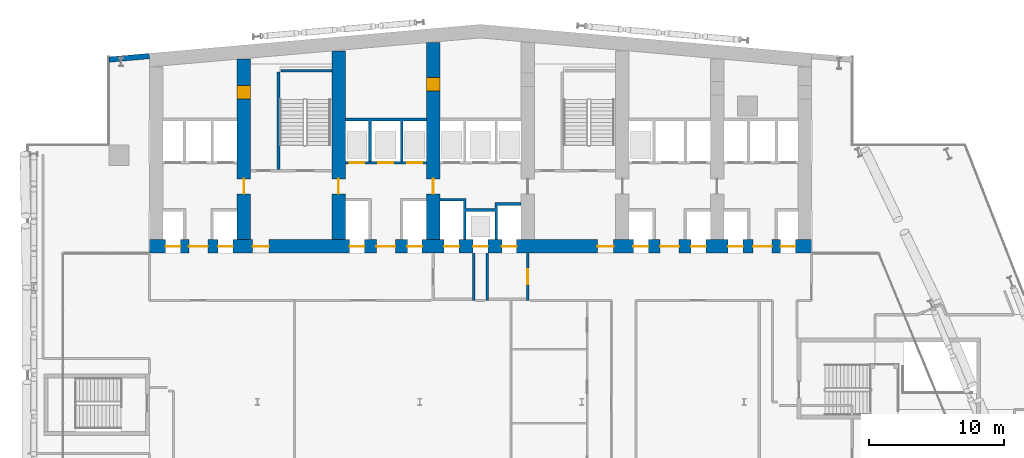
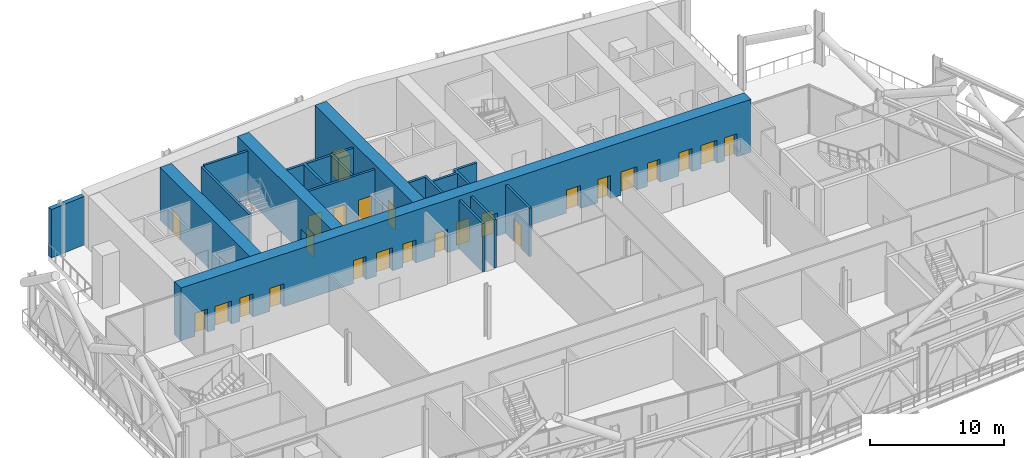
# One storey, part 20 of 42: 26 doors, 13 walls, 26 openings.
"""IFC4 building model written with IfcOpenShell, lengths in metres."""

from ifc_helpers import new_model, si_unit, direction, frame, frame_2d, origin, place, context, subcontext, project, spatial, polyline, rectangle, outline, extrude, material, layer, layer_set, type_object, element, fill, save


model = new_model("IFC4")

# Units and contexts
model_context = context("Model", 3, precision=1e-05, world=origin(), true_north=direction((0.0, 1.0)))
body_context = subcontext(model_context, "Body", "Model", "MODEL_VIEW")
ifc_project = project(units=[si_unit("LENGTHUNIT", "METRE"), si_unit("AREAUNIT", "SQUARE_METRE"), si_unit("VOLUMEUNIT", "CUBIC_METRE"), si_unit("PLANEANGLEUNIT", "RADIAN"), si_unit("MASSUNIT", "GRAM", prefix="KILO")], contexts=[model_context])

# Site, building, storey
site_placement = place(None, origin())
site = spatial("IfcSite", under=ifc_project, at=site_placement, CompositionType="ELEMENT")
building_placement = place(site_placement, origin())
building = spatial("IfcBuilding", under=site, at=building_placement, Name="Wharfspan Tower", CompositionType="ELEMENT")
storey_placement = place(building_placement, frame((0.0, 0.0, 147.100098)))
storey = spatial("IfcBuildingStorey", under=building, at=storey_placement, Name="L35", CompositionType="ELEMENT", Elevation=147.100098)

# Wall, openings, doors
ifc_material_1 = material(Name="Concrete C70/85", Category="concrete")
ifc_layer_1 = layer(ifc_material_1, 1.0)
ifc_layer_set_1 = layer_set([ifc_layer_1], Name="Concrete C70/85")
wall_type_1 = type_object("IfcWallType", Name="Core wall 1000 C70/85", PredefinedType="SHEAR", material=ifc_layer_set_1)
wall_1_placement = place(storey_placement, frame((16.0, 34.5, 0.0), z_axis=(0.0, 0.0, 1.0), x_axis=(1.0, 0.0, 0.0)))
wall_1 = element("IfcWall", 1, at=wall_1_placement, inside=storey, type_object=wall_type_1, Name="Core front wall L35", PredefinedType="SHEAR", context=body_context, shape_type="SweptSolid", body=[
    extrude(rectangle(XDim=49.0, YDim=1.0, at=frame_2d((24.5, 0.0))), origin(), (0.0, 0.0, 1.0), 4.799805),
])
opening_1_placement = place(wall_1_placement, frame((1.199951, 0.0, 0.0)))
opening_1 = element("IfcOpeningElement", 2, at=opening_1_placement, cuts=wall_1, Name="Opening LD.LA1.L35", PredefinedType="OPENING", context=body_context, shape_type="SweptSolid", body=[
    extrude(rectangle(XDim=1.100098, YDim=2.100098, at=frame_2d((0.550049, 1.050049))), frame((0.0, 0.51001, 0.0), z_axis=(0.0, -1.0, 0.0), x_axis=(1.0, 0.0, 0.0)), (0.0, 0.0, 1.0), 1.02002),
])
opening_2_placement = place(wall_1_placement, frame((5.083252, 0.0, 0.0)))
opening_2 = element("IfcOpeningElement", 3, at=opening_2_placement, cuts=wall_1, Name="Opening LD.LA2.L35", PredefinedType="OPENING", context=body_context, shape_type="SweptSolid", body=[
    extrude(rectangle(XDim=1.100098, YDim=2.100098, at=frame_2d((0.550049, 1.050049))), frame((0.0, 0.51001, 0.0), z_axis=(0.0, -1.0, 0.0), x_axis=(1.0, 0.0, 0.0)), (0.0, 0.0, 1.0), 1.02002),
])
opening_3_placement = place(wall_1_placement, frame((2.93335, 0.0, 0.0)))
opening_3 = element("IfcOpeningElement", 4, at=opening_3_placement, cuts=wall_1, Name="Opening HD35.1", PredefinedType="OPENING", context=body_context, shape_type="SweptSolid", body=[
    extrude(rectangle(XDim=1.399902, YDim=2.100098, at=frame_2d((0.699951, 1.050049))), frame((0.0, 0.51001, 0.0), z_axis=(0.0, -1.0, 0.0), x_axis=(1.0, 0.0, 0.0)), (0.0, 0.0, 1.0), 1.02002),
])
opening_4_placement = place(wall_1_placement, frame((7.649902, 0.0, 0.0)))
opening_4 = element("IfcOpeningElement", 5, at=opening_4_placement, cuts=wall_1, Name="Opening SV2.L35", PredefinedType="OPENING", context=body_context, shape_type="SweptSolid", body=[
    extrude(rectangle(XDim=1.199951, YDim=2.100098, at=frame_2d((0.600098, 1.050049))), frame((0.0, 0.51001, 0.0), z_axis=(0.0, -1.0, 0.0), x_axis=(1.0, 0.0, 0.0)), (0.0, 0.0, 1.0), 1.02002),
])
opening_5_placement = place(wall_1_placement, frame((14.81665, 0.0, 0.0)))
opening_5 = element("IfcOpeningElement", 6, at=opening_5_placement, cuts=wall_1, Name="Opening LD.SL1.L35", PredefinedType="OPENING", context=body_context, shape_type="SweptSolid", body=[
    extrude(rectangle(XDim=1.100098, YDim=2.100098, at=frame_2d((0.550049, 1.050049))), frame((0.0, 0.51001, 0.0), z_axis=(0.0, -1.0, 0.0), x_axis=(1.0, 0.0, 0.0)), (0.0, 0.0, 1.0), 1.02002),
])
opening_6_placement = place(wall_1_placement, frame((19.083252, 0.0, 0.0)))
opening_6 = element("IfcOpeningElement", 7, at=opening_6_placement, cuts=wall_1, Name="Opening LD.SL2.L35", PredefinedType="OPENING", context=body_context, shape_type="SweptSolid", body=[
    extrude(rectangle(XDim=1.100098, YDim=2.100098, at=frame_2d((0.550049, 1.050049))), frame((0.0, 0.51001, 0.0), z_axis=(0.0, -1.0, 0.0), x_axis=(1.0, 0.0, 0.0)), (0.0, 0.0, 1.0), 1.02002),
])
opening_7_placement = place(wall_1_placement, frame((16.800049, 0.0, 0.0)))
opening_7 = element("IfcOpeningElement", 8, at=opening_7_placement, cuts=wall_1, Name="Opening HD35.3", PredefinedType="OPENING", context=body_context, shape_type="SweptSolid", body=[
    extrude(rectangle(XDim=1.399902, YDim=2.100098, at=frame_2d((0.699951, 1.050049))), frame((0.0, 0.51001, 0.0), z_axis=(0.0, -1.0, 0.0), x_axis=(1.0, 0.0, 0.0)), (0.0, 0.0, 1.0), 1.02002),
])
opening_8_placement = place(wall_1_placement, frame((21.81665, 0.0, 0.0)))
opening_8 = element("IfcOpeningElement", 9, at=opening_8_placement, cuts=wall_1, Name="Opening LD.FF1.L35", PredefinedType="OPENING", context=body_context, shape_type="SweptSolid", body=[
    extrude(rectangle(XDim=1.100098, YDim=2.100098, at=frame_2d((0.550049, 1.050049))), frame((0.0, 0.51001, 0.0), z_axis=(0.0, -1.0, 0.0), x_axis=(1.0, 0.0, 0.0)), (0.0, 0.0, 1.0), 1.02002),
])
opening_9_placement = place(wall_1_placement, frame((23.949951, 0.0, 0.0)))
opening_9 = element("IfcOpeningElement", 10, at=opening_9_placement, cuts=wall_1, Name="Opening LD.LB7.L35", PredefinedType="OPENING", context=body_context, shape_type="SweptSolid", body=[
    extrude(rectangle(XDim=1.100098, YDim=2.100098, at=frame_2d((0.550049, 1.050049))), frame((0.0, 0.51001, 0.0), z_axis=(0.0, -1.0, 0.0), x_axis=(1.0, 0.0, 0.0)), (0.0, 0.0, 1.0), 1.02002),
])
opening_10_placement = place(wall_1_placement, frame((26.083252, 0.0, 0.0)))
opening_10 = element("IfcOpeningElement", 11, at=opening_10_placement, cuts=wall_1, Name="Opening LD.FF2.L35", PredefinedType="OPENING", context=body_context, shape_type="SweptSolid", body=[
    extrude(rectangle(XDim=1.100098, YDim=2.100098, at=frame_2d((0.550049, 1.050049))), frame((0.0, 0.51001, 0.0), z_axis=(0.0, -1.0, 0.0), x_axis=(1.0, 0.0, 0.0)), (0.0, 0.0, 1.0), 1.02002),
])
opening_11_placement = place(wall_1_placement, frame((33.149902, 0.0, 0.0)))
opening_11 = element("IfcOpeningElement", 12, at=opening_11_placement, cuts=wall_1, Name="Opening SV5.L35", PredefinedType="OPENING", context=body_context, shape_type="SweptSolid", body=[
    extrude(rectangle(XDim=1.199951, YDim=2.100098, at=frame_2d((0.600098, 1.050049))), frame((0.0, 0.51001, 0.0), z_axis=(0.0, -1.0, 0.0), x_axis=(1.0, 0.0, 0.0)), (0.0, 0.0, 1.0), 1.02002),
])
opening_12_placement = place(wall_1_placement, frame((35.81665, 0.0, 0.0)))
opening_12 = element("IfcOpeningElement", 13, at=opening_12_placement, cuts=wall_1, Name="Opening LD.LS1.L35", PredefinedType="OPENING", context=body_context, shape_type="SweptSolid", body=[
    extrude(rectangle(XDim=1.100098, YDim=2.100098, at=frame_2d((0.550049, 1.050049))), frame((0.0, 0.51001, 0.0), z_axis=(0.0, -1.0, 0.0), x_axis=(1.0, 0.0, 0.0)), (0.0, 0.0, 1.0), 1.02002),
])
opening_13_placement = place(wall_1_placement, frame((40.083252, 0.0, 0.0)))
opening_13 = element("IfcOpeningElement", 14, at=opening_13_placement, cuts=wall_1, Name="Opening LD.LS2.L35", PredefinedType="OPENING", context=body_context, shape_type="SweptSolid", body=[
    extrude(rectangle(XDim=1.100098, YDim=2.100098, at=frame_2d((0.550049, 1.050049))), frame((0.0, 0.51001, 0.0), z_axis=(0.0, -1.0, 0.0), x_axis=(1.0, 0.0, 0.0)), (0.0, 0.0, 1.0), 1.02002),
])
opening_14_placement = place(wall_1_placement, frame((37.800049, 0.0, 0.0)))
opening_14 = element("IfcOpeningElement", 15, at=opening_14_placement, cuts=wall_1, Name="Opening HD35.6", PredefinedType="OPENING", context=body_context, shape_type="SweptSolid", body=[
    extrude(rectangle(XDim=1.399902, YDim=2.100098, at=frame_2d((0.699951, 1.050049))), frame((0.0, 0.51001, 0.0), z_axis=(0.0, -1.0, 0.0), x_axis=(1.0, 0.0, 0.0)), (0.0, 0.0, 1.0), 1.02002),
])
opening_15_placement = place(wall_1_placement, frame((42.81665, 0.0, 0.0)))
opening_15 = element("IfcOpeningElement", 16, at=opening_15_placement, cuts=wall_1, Name="Opening LD.LA6.L35", PredefinedType="OPENING", context=body_context, shape_type="SweptSolid", body=[
    extrude(rectangle(XDim=1.100098, YDim=2.100098, at=frame_2d((0.550049, 1.050049))), frame((0.0, 0.51001, 0.0), z_axis=(0.0, -1.0, 0.0), x_axis=(1.0, 0.0, 0.0)), (0.0, 0.0, 1.0), 1.02002),
])
opening_16_placement = place(wall_1_placement, frame((46.699951, 0.0, 0.0)))
opening_16 = element("IfcOpeningElement", 17, at=opening_16_placement, cuts=wall_1, Name="Opening LD.LA7.L35", PredefinedType="OPENING", context=body_context, shape_type="SweptSolid", body=[
    extrude(rectangle(XDim=1.100098, YDim=2.100098, at=frame_2d((0.550049, 1.050049))), frame((0.0, 0.51001, 0.0), z_axis=(0.0, -1.0, 0.0), x_axis=(1.0, 0.0, 0.0)), (0.0, 0.0, 1.0), 1.02002),
])
opening_17_placement = place(wall_1_placement, frame((44.666748, 0.0, 0.0)))
opening_17 = element("IfcOpeningElement", 18, at=opening_17_placement, cuts=wall_1, Name="Opening HD35.7", PredefinedType="OPENING", context=body_context, shape_type="SweptSolid", body=[
    extrude(rectangle(XDim=1.399902, YDim=2.100098, at=frame_2d((0.699951, 1.050049))), frame((0.0, 0.51001, 0.0), z_axis=(0.0, -1.0, 0.0), x_axis=(1.0, 0.0, 0.0)), (0.0, 0.0, 1.0), 1.02002),
])
ifc_material_2 = material(Name="Steel door leaf", Category="steel")
door_type_1 = type_object("IfcDoorType", Name="Hall entry door 1400x2100", OperationType="DOUBLE_DOOR_SINGLE_SWING", PredefinedType="DOOR", material=ifc_material_2)
door_1_placement = place(opening_3_placement, origin())
door_1 = element("IfcDoor", 19, at=door_1_placement, inside=storey, type_object=door_type_1, Name="d:L35:1:hd1", OperationType="DOUBLE_DOOR_SINGLE_SWING", OverallHeight=2.100098, OverallWidth=1.399902, PredefinedType="DOOR", context=body_context, shape_type="SweptSolid", body=[
    extrude(rectangle(XDim=1.399902, YDim=2.100098, at=frame_2d((0.699951, 1.050049))), frame((0.0, 0.024902, 0.0), z_axis=(0.0, -1.0, 0.0), x_axis=(1.0, 0.0, 0.0)), (0.0, 0.0, 1.0), 0.050049),
])
fill(opening_3, door_1)
door_2_placement = place(opening_7_placement, origin())
door_2 = element("IfcDoor", 20, at=door_2_placement, inside=storey, type_object=door_type_1, Name="d:L35:3:hd3", OperationType="DOUBLE_DOOR_SINGLE_SWING", OverallHeight=2.100098, OverallWidth=1.399902, PredefinedType="DOOR", context=body_context, shape_type="SweptSolid", body=[
    extrude(rectangle(XDim=1.399902, YDim=2.100098, at=frame_2d((0.699951, 1.050049))), frame((0.0, 0.024902, 0.0), z_axis=(0.0, -1.0, 0.0), x_axis=(1.0, 0.0, 0.0)), (0.0, 0.0, 1.0), 0.050049),
])
fill(opening_7, door_2)
door_3_placement = place(opening_14_placement, origin())
door_3 = element("IfcDoor", 21, at=door_3_placement, inside=storey, type_object=door_type_1, Name="d:L35:6:hd6", OperationType="DOUBLE_DOOR_SINGLE_SWING", OverallHeight=2.100098, OverallWidth=1.399902, PredefinedType="DOOR", context=body_context, shape_type="SweptSolid", body=[
    extrude(rectangle(XDim=1.399902, YDim=2.100098, at=frame_2d((0.699951, 1.050049))), frame((0.0, 0.024902, 0.0), z_axis=(0.0, -1.0, 0.0), x_axis=(1.0, 0.0, 0.0)), (0.0, 0.0, 1.0), 0.050049),
])
fill(opening_14, door_3)
door_4_placement = place(opening_17_placement, origin())
door_4 = element("IfcDoor", 22, at=door_4_placement, inside=storey, type_object=door_type_1, Name="d:L35:7:hd7", OperationType="DOUBLE_DOOR_SINGLE_SWING", OverallHeight=2.100098, OverallWidth=1.399902, PredefinedType="DOOR", context=body_context, shape_type="SweptSolid", body=[
    extrude(rectangle(XDim=1.399902, YDim=2.100098, at=frame_2d((0.699951, 1.050049))), frame((0.0, 0.024902, 0.0), z_axis=(0.0, -1.0, 0.0), x_axis=(1.0, 0.0, 0.0)), (0.0, 0.0, 1.0), 0.050049),
])
fill(opening_17, door_4)
ifc_material_3 = material(Name="Stainless steel", Category="steel")
door_type_2 = type_object("IfcDoorType", Name="Lift landing door 1100x2100", OperationType="DOUBLE_DOOR_SLIDING", PredefinedType="DOOR", material=ifc_material_3)
door_5_placement = place(opening_1_placement, origin())
door_5 = element("IfcDoor", 23, at=door_5_placement, inside=storey, type_object=door_type_2, Name="Landing door LA1 L35", OperationType="DOUBLE_DOOR_SLIDING", OverallHeight=2.100098, OverallWidth=1.100098, PredefinedType="DOOR", context=body_context, shape_type="SweptSolid", body=[
    extrude(rectangle(XDim=1.100098, YDim=2.100098, at=frame_2d((0.550049, 1.050049))), frame((0.0, 0.024902, 0.0), z_axis=(0.0, -1.0, 0.0), x_axis=(1.0, 0.0, 0.0)), (0.0, 0.0, 1.0), 0.050049),
])
fill(opening_1, door_5)
door_6_placement = place(opening_2_placement, origin())
door_6 = element("IfcDoor", 24, at=door_6_placement, inside=storey, type_object=door_type_2, Name="Landing door LA2 L35", OperationType="DOUBLE_DOOR_SLIDING", OverallHeight=2.100098, OverallWidth=1.100098, PredefinedType="DOOR", context=body_context, shape_type="SweptSolid", body=[
    extrude(rectangle(XDim=1.100098, YDim=2.100098, at=frame_2d((0.550049, 1.050049))), frame((0.0, 0.024902, 0.0), z_axis=(0.0, -1.0, 0.0), x_axis=(1.0, 0.0, 0.0)), (0.0, 0.0, 1.0), 0.050049),
])
fill(opening_2, door_6)
door_7_placement = place(opening_5_placement, origin())
door_7 = element("IfcDoor", 25, at=door_7_placement, inside=storey, type_object=door_type_2, Name="Landing door SL1 L35", OperationType="DOUBLE_DOOR_SLIDING", OverallHeight=2.100098, OverallWidth=1.100098, PredefinedType="DOOR", context=body_context, shape_type="SweptSolid", body=[
    extrude(rectangle(XDim=1.100098, YDim=2.100098, at=frame_2d((0.550049, 1.050049))), frame((0.0, 0.024902, 0.0), z_axis=(0.0, -1.0, 0.0), x_axis=(1.0, 0.0, 0.0)), (0.0, 0.0, 1.0), 0.050049),
])
fill(opening_5, door_7)
door_8_placement = place(opening_6_placement, origin())
door_8 = element("IfcDoor", 26, at=door_8_placement, inside=storey, type_object=door_type_2, Name="Landing door SL2 L35", OperationType="DOUBLE_DOOR_SLIDING", OverallHeight=2.100098, OverallWidth=1.100098, PredefinedType="DOOR", context=body_context, shape_type="SweptSolid", body=[
    extrude(rectangle(XDim=1.100098, YDim=2.100098, at=frame_2d((0.550049, 1.050049))), frame((0.0, 0.024902, 0.0), z_axis=(0.0, -1.0, 0.0), x_axis=(1.0, 0.0, 0.0)), (0.0, 0.0, 1.0), 0.050049),
])
fill(opening_6, door_8)
door_9_placement = place(opening_8_placement, origin())
door_9 = element("IfcDoor", 27, at=door_9_placement, inside=storey, type_object=door_type_2, Name="Landing door FF1 L35", OperationType="DOUBLE_DOOR_SLIDING", OverallHeight=2.100098, OverallWidth=1.100098, PredefinedType="DOOR", context=body_context, shape_type="SweptSolid", body=[
    extrude(rectangle(XDim=1.100098, YDim=2.100098, at=frame_2d((0.550049, 1.050049))), frame((0.0, 0.024902, 0.0), z_axis=(0.0, -1.0, 0.0), x_axis=(1.0, 0.0, 0.0)), (0.0, 0.0, 1.0), 0.050049),
])
fill(opening_8, door_9)
door_10_placement = place(opening_9_placement, origin())
door_10 = element("IfcDoor", 28, at=door_10_placement, inside=storey, type_object=door_type_2, Name="Landing door LB7 L35", OperationType="DOUBLE_DOOR_SLIDING", OverallHeight=2.100098, OverallWidth=1.100098, PredefinedType="DOOR", context=body_context, shape_type="SweptSolid", body=[
    extrude(rectangle(XDim=1.100098, YDim=2.100098, at=frame_2d((0.550049, 1.050049))), frame((0.0, 0.024902, 0.0), z_axis=(0.0, -1.0, 0.0), x_axis=(1.0, 0.0, 0.0)), (0.0, 0.0, 1.0), 0.050049),
])
fill(opening_9, door_10)
door_11_placement = place(opening_10_placement, origin())
door_11 = element("IfcDoor", 29, at=door_11_placement, inside=storey, type_object=door_type_2, Name="Landing door FF2 L35", OperationType="DOUBLE_DOOR_SLIDING", OverallHeight=2.100098, OverallWidth=1.100098, PredefinedType="DOOR", context=body_context, shape_type="SweptSolid", body=[
    extrude(rectangle(XDim=1.100098, YDim=2.100098, at=frame_2d((0.550049, 1.050049))), frame((0.0, 0.024902, 0.0), z_axis=(0.0, -1.0, 0.0), x_axis=(1.0, 0.0, 0.0)), (0.0, 0.0, 1.0), 0.050049),
])
fill(opening_10, door_11)
door_12_placement = place(opening_12_placement, origin())
door_12 = element("IfcDoor", 30, at=door_12_placement, inside=storey, type_object=door_type_2, Name="Landing door LS1 L35", OperationType="DOUBLE_DOOR_SLIDING", OverallHeight=2.100098, OverallWidth=1.100098, PredefinedType="DOOR", context=body_context, shape_type="SweptSolid", body=[
    extrude(rectangle(XDim=1.100098, YDim=2.100098, at=frame_2d((0.550049, 1.050049))), frame((0.0, 0.024902, 0.0), z_axis=(0.0, -1.0, 0.0), x_axis=(1.0, 0.0, 0.0)), (0.0, 0.0, 1.0), 0.050049),
])
fill(opening_12, door_12)
door_13_placement = place(opening_13_placement, origin())
door_13 = element("IfcDoor", 31, at=door_13_placement, inside=storey, type_object=door_type_2, Name="Landing door LS2 L35", OperationType="DOUBLE_DOOR_SLIDING", OverallHeight=2.100098, OverallWidth=1.100098, PredefinedType="DOOR", context=body_context, shape_type="SweptSolid", body=[
    extrude(rectangle(XDim=1.100098, YDim=2.100098, at=frame_2d((0.550049, 1.050049))), frame((0.0, 0.024902, 0.0), z_axis=(0.0, -1.0, 0.0), x_axis=(1.0, 0.0, 0.0)), (0.0, 0.0, 1.0), 0.050049),
])
fill(opening_13, door_13)
door_14_placement = place(opening_15_placement, origin())
door_14 = element("IfcDoor", 32, at=door_14_placement, inside=storey, type_object=door_type_2, Name="Landing door LA6 L35", OperationType="DOUBLE_DOOR_SLIDING", OverallHeight=2.100098, OverallWidth=1.100098, PredefinedType="DOOR", context=body_context, shape_type="SweptSolid", body=[
    extrude(rectangle(XDim=1.100098, YDim=2.100098, at=frame_2d((0.550049, 1.050049))), frame((0.0, 0.024902, 0.0), z_axis=(0.0, -1.0, 0.0), x_axis=(1.0, 0.0, 0.0)), (0.0, 0.0, 1.0), 0.050049),
])
fill(opening_15, door_14)
door_15_placement = place(opening_16_placement, origin())
door_15 = element("IfcDoor", 33, at=door_15_placement, inside=storey, type_object=door_type_2, Name="Landing door LA7 L35", OperationType="DOUBLE_DOOR_SLIDING", OverallHeight=2.100098, OverallWidth=1.100098, PredefinedType="DOOR", context=body_context, shape_type="SweptSolid", body=[
    extrude(rectangle(XDim=1.100098, YDim=2.100098, at=frame_2d((0.550049, 1.050049))), frame((0.0, 0.024902, 0.0), z_axis=(0.0, -1.0, 0.0), x_axis=(1.0, 0.0, 0.0)), (0.0, 0.0, 1.0), 0.050049),
])
fill(opening_16, door_15)
door_type_3 = type_object("IfcDoorType", Name="Stair door 1200x2100", OperationType="SINGLE_SWING_LEFT", PredefinedType="DOOR", material=ifc_material_2)
door_16_placement = place(opening_4_placement, origin())
door_16 = element("IfcDoor", 34, at=door_16_placement, inside=storey, type_object=door_type_3, Name="vd:L35:2", OperationType="SINGLE_SWING_LEFT", OverallHeight=2.100098, OverallWidth=1.199951, PredefinedType="DOOR", context=body_context, shape_type="SweptSolid", body=[
    extrude(rectangle(XDim=1.199951, YDim=2.100098, at=frame_2d((0.600098, 1.050049))), frame((0.0, 0.024902, 0.0), z_axis=(0.0, -1.0, 0.0), x_axis=(1.0, 0.0, 0.0)), (0.0, 0.0, 1.0), 0.050049),
])
fill(opening_4, door_16)
door_17_placement = place(opening_11_placement, origin())
door_17 = element("IfcDoor", 35, at=door_17_placement, inside=storey, type_object=door_type_3, Name="vd:L35:5", OperationType="SINGLE_SWING_LEFT", OverallHeight=2.100098, OverallWidth=1.199951, PredefinedType="DOOR", context=body_context, shape_type="SweptSolid", body=[
    extrude(rectangle(XDim=1.199951, YDim=2.100098, at=frame_2d((0.600098, 1.050049))), frame((0.0, 0.024902, 0.0), z_axis=(0.0, -1.0, 0.0), x_axis=(1.0, 0.0, 0.0)), (0.0, 0.0, 1.0), 0.050049),
])
fill(opening_11, door_17)

wall_2_placement = place(storey_placement, frame((23.0, 35.0, 0.0), z_axis=(0.0, 0.0, 1.0), x_axis=(0.0, 1.0, 0.0)))
wall_2 = element("IfcWall", 36, at=wall_2_placement, inside=storey, type_object=wall_type_1, Name="Core cross wall X2 L35", PredefinedType="SHEAR", context=body_context, shape_type="SweptSolid", body=[
    extrude(rectangle(XDim=13.352295, YDim=1.0, at=frame_2d((6.67627, 0.0))), origin(), (0.0, 0.0, 1.0), 4.799805),
])
opening_18_placement = place(wall_2_placement, frame((10.425537, 0.0, 0.0)))
opening_18 = element("IfcOpeningElement", 37, at=opening_18_placement, cuts=wall_2, Name="Opening CD35.1X", PredefinedType="OPENING", context=body_context, shape_type="SweptSolid", body=[
    extrude(rectangle(XDim=1.0, YDim=2.100098, at=frame_2d((0.5, 1.050049))), frame((0.0, 0.51001, 0.0), z_axis=(0.0, -1.0, 0.0), x_axis=(1.0, 0.0, 0.0)), (0.0, 0.0, 1.0), 1.02002),
])
opening_19_placement = place(wall_2_placement, frame((3.399902, 0.0, 0.0)))
opening_19 = element("IfcOpeningElement", 38, at=opening_19_placement, cuts=wall_2, Name="Opening CC35.2", PredefinedType="OPENING", context=body_context, shape_type="SweptSolid", body=[
    extrude(rectangle(XDim=1.100098, YDim=2.100098, at=frame_2d((0.550049, 1.050049))), frame((0.0, 0.51001, 0.0), z_axis=(0.0, -1.0, 0.0), x_axis=(1.0, 0.0, 0.0)), (0.0, 0.0, 1.0), 1.02002),
])
door_type_4 = type_object("IfcDoorType", Name="Core corridor door 1100x2100", OperationType="SINGLE_SWING_LEFT", PredefinedType="DOOR", material=ifc_material_2)
door_18_placement = place(opening_19_placement, origin())
door_18 = element("IfcDoor", 39, at=door_18_placement, inside=storey, type_object=door_type_4, Name="xd:L35:2", OperationType="SINGLE_SWING_RIGHT", OverallHeight=2.100098, OverallWidth=1.100098, PredefinedType="DOOR", context=body_context, shape_type="SweptSolid", body=[
    extrude(rectangle(XDim=1.100098, YDim=2.100098, at=frame_2d((0.550049, 1.050049))), frame((0.0, 0.024902, 0.0), z_axis=(0.0, -1.0, 0.0), x_axis=(1.0, 0.0, 0.0)), (0.0, 0.0, 1.0), 0.050049),
])
fill(opening_19, door_18)
door_type_5 = type_object("IfcDoorType", Name="Core room door 1000x2100", OperationType="SINGLE_SWING_LEFT", PredefinedType="DOOR", material=ifc_material_2)
door_19_placement = place(opening_18_placement, origin())
door_19 = element("IfcDoor", 40, at=door_19_placement, inside=storey, type_object=door_type_5, Name="d:L35:1:sx", OperationType="SINGLE_SWING_LEFT", OverallHeight=2.100098, OverallWidth=1.0, PredefinedType="DOOR", context=body_context, shape_type="SweptSolid", body=[
    extrude(rectangle(XDim=1.0, YDim=2.100098, at=frame_2d((0.5, 1.050049))), frame((0.0, 0.499756, 0.0), z_axis=(0.0, -1.0, 0.0), x_axis=(1.0, 0.0, 0.0)), (0.0, 0.0, 1.0), 0.999512),
])
fill(opening_18, door_19)

# Wall, opening, door
wall_3_placement = place(storey_placement, frame((30.0, 35.0, 0.0), z_axis=(0.0, 0.0, 1.0), x_axis=(0.0, 1.0, 0.0)))
wall_3 = element("IfcWall", 41, at=wall_3_placement, inside=storey, type_object=wall_type_1, Name="Core cross wall X3 L35", PredefinedType="SHEAR", context=body_context, shape_type="SweptSolid", body=[
    extrude(rectangle(XDim=13.9646, YDim=1.0, at=frame_2d((6.982422, 0.0))), origin(), (0.0, 0.0, 1.0), 4.799805),
])
opening_20_placement = place(wall_3_placement, frame((3.399902, 0.0, 0.0)))
opening_20 = element("IfcOpeningElement", 42, at=opening_20_placement, cuts=wall_3, Name="Opening CC35.3", PredefinedType="OPENING", context=body_context, shape_type="SweptSolid", body=[
    extrude(rectangle(XDim=1.100098, YDim=2.100098, at=frame_2d((0.550049, 1.050049))), frame((0.0, 0.51001, 0.0), z_axis=(0.0, -1.0, 0.0), x_axis=(1.0, 0.0, 0.0)), (0.0, 0.0, 1.0), 1.02002),
])
door_20_placement = place(opening_20_placement, origin())
door_20 = element("IfcDoor", 43, at=door_20_placement, inside=storey, type_object=door_type_4, Name="xd:L35:3", OperationType="SINGLE_SWING_LEFT", OverallHeight=2.100098, OverallWidth=1.100098, PredefinedType="DOOR", context=body_context, shape_type="SweptSolid", body=[
    extrude(rectangle(XDim=1.100098, YDim=2.100098, at=frame_2d((0.550049, 1.050049))), frame((0.0, 0.024902, 0.0), z_axis=(0.0, -1.0, 0.0), x_axis=(1.0, 0.0, 0.0)), (0.0, 0.0, 1.0), 0.050049),
])
fill(opening_20, door_20)

# Wall, openings, doors
wall_4_placement = place(storey_placement, frame((37.0, 35.0, 0.0), z_axis=(0.0, 0.0, 1.0), x_axis=(0.0, 1.0, 0.0)))
wall_4 = element("IfcWall", 44, at=wall_4_placement, inside=storey, type_object=wall_type_1, Name="Core cross wall X4 L35", PredefinedType="SHEAR", context=body_context, shape_type="SweptSolid", body=[
    extrude(rectangle(XDim=14.577148, YDim=1.0, at=frame_2d((7.288574, 0.0))), origin(), (0.0, 0.0, 1.0), 4.799805),
])
opening_21_placement = place(wall_4_placement, frame((11.016113, 0.0, 0.0)))
opening_21 = element("IfcOpeningElement", 45, at=opening_21_placement, cuts=wall_4, Name="Opening CD35.3X", PredefinedType="OPENING", context=body_context, shape_type="SweptSolid", body=[
    extrude(rectangle(XDim=1.0, YDim=2.100098, at=frame_2d((0.5, 1.050049))), frame((0.0, 0.51001, 0.0), z_axis=(0.0, -1.0, 0.0), x_axis=(1.0, 0.0, 0.0)), (0.0, 0.0, 1.0), 1.02002),
])
opening_22_placement = place(wall_4_placement, frame((3.399902, 0.0, 0.0)))
opening_22 = element("IfcOpeningElement", 46, at=opening_22_placement, cuts=wall_4, Name="Opening CC35.4", PredefinedType="OPENING", context=body_context, shape_type="SweptSolid", body=[
    extrude(rectangle(XDim=1.100098, YDim=2.100098, at=frame_2d((0.550049, 1.050049))), frame((0.0, 0.51001, 0.0), z_axis=(0.0, -1.0, 0.0), x_axis=(1.0, 0.0, 0.0)), (0.0, 0.0, 1.0), 1.02002),
])
door_21_placement = place(opening_22_placement, origin())
door_21 = element("IfcDoor", 47, at=door_21_placement, inside=storey, type_object=door_type_4, Name="xd:L35:4", OperationType="SINGLE_SWING_RIGHT", OverallHeight=2.100098, OverallWidth=1.100098, PredefinedType="DOOR", context=body_context, shape_type="SweptSolid", body=[
    extrude(rectangle(XDim=1.100098, YDim=2.100098, at=frame_2d((0.550049, 1.050049))), frame((0.0, 0.024902, 0.0), z_axis=(0.0, -1.0, 0.0), x_axis=(1.0, 0.0, 0.0)), (0.0, 0.0, 1.0), 0.050049),
])
fill(opening_22, door_21)
door_22_placement = place(opening_21_placement, origin())
door_22 = element("IfcDoor", 48, at=door_22_placement, inside=storey, type_object=door_type_5, Name="d:L35:3:sx", OperationType="SINGLE_SWING_LEFT", OverallHeight=2.100098, OverallWidth=1.0, PredefinedType="DOOR", context=body_context, shape_type="SweptSolid", body=[
    extrude(rectangle(XDim=1.0, YDim=2.100098, at=frame_2d((0.5, 1.050049))), frame((0.0, 0.499756, 0.0), z_axis=(0.0, -1.0, 0.0), x_axis=(1.0, 0.0, 0.0)), (0.0, 0.0, 1.0), 0.999512),
])
fill(opening_21, door_22)

ifc_material_4 = material(Name="Concrete C30/37", Category="concrete")
ifc_layer_2 = layer(ifc_material_4, 0.199951)
ifc_layer_set_2 = layer_set([ifc_layer_2], Name="Concrete C30/37")
wall_type_2 = type_object("IfcWallType", Name="Lift shaft wall 200", PredefinedType="PARTITIONING", material=ifc_layer_set_2)
wall_5_placement = place(storey_placement, frame((30.5, 40.699951, 0.0), z_axis=(0.0, 0.0, 1.0), x_axis=(1.0, 0.0, 0.0)))
wall_5 = element("IfcWall", 49, at=wall_5_placement, inside=storey, type_object=wall_type_2, Name="sw:L35:RF3", PredefinedType="PARTITIONING", context=body_context, shape_type="SweptSolid", body=[
    extrude(rectangle(XDim=6.0, YDim=0.199951, at=frame_2d((3.0, 0.0))), origin(), (0.0, 0.0, 1.0), 4.399902),
])
opening_23_placement = place(wall_5_placement, frame((0.31665, 0.0, 0.0)))
opening_23 = element("IfcOpeningElement", 50, at=opening_23_placement, cuts=wall_5, Name="Opening LD.LB1.L35", PredefinedType="OPENING", context=body_context, shape_type="SweptSolid", body=[
    extrude(rectangle(XDim=1.100098, YDim=2.100098, at=frame_2d((0.550049, 1.050049))), frame((0.0, 0.109863, 0.0), z_axis=(0.0, -1.0, 0.0), x_axis=(1.0, 0.0, 0.0)), (0.0, 0.0, 1.0), 0.219971),
])
opening_24_placement = place(wall_5_placement, frame((2.449951, 0.0, 0.0)))
opening_24 = element("IfcOpeningElement", 51, at=opening_24_placement, cuts=wall_5, Name="Opening LD.LB2.L35", PredefinedType="OPENING", context=body_context, shape_type="SweptSolid", body=[
    extrude(rectangle(XDim=1.100098, YDim=2.100098, at=frame_2d((0.550049, 1.050049))), frame((0.0, 0.109863, 0.0), z_axis=(0.0, -1.0, 0.0), x_axis=(1.0, 0.0, 0.0)), (0.0, 0.0, 1.0), 0.219971),
])
opening_25_placement = place(wall_5_placement, frame((4.583252, 0.0, 0.0)))
opening_25 = element("IfcOpeningElement", 52, at=opening_25_placement, cuts=wall_5, Name="Opening LD.LB3.L35", PredefinedType="OPENING", context=body_context, shape_type="SweptSolid", body=[
    extrude(rectangle(XDim=1.100098, YDim=2.100098, at=frame_2d((0.550049, 1.050049))), frame((0.0, 0.109863, 0.0), z_axis=(0.0, -1.0, 0.0), x_axis=(1.0, 0.0, 0.0)), (0.0, 0.0, 1.0), 0.219971),
])
door_23_placement = place(opening_23_placement, origin())
door_23 = element("IfcDoor", 53, at=door_23_placement, inside=storey, type_object=door_type_2, Name="Landing door LB1 L35", OperationType="DOUBLE_DOOR_SLIDING", OverallHeight=2.100098, OverallWidth=1.100098, PredefinedType="DOOR", context=body_context, shape_type="SweptSolid", body=[
    extrude(rectangle(XDim=1.100098, YDim=2.100098, at=frame_2d((0.550049, 1.050049))), frame((0.0, 0.024902, 0.0), z_axis=(0.0, -1.0, 0.0), x_axis=(1.0, 0.0, 0.0)), (0.0, 0.0, 1.0), 0.050049),
])
fill(opening_23, door_23)
door_24_placement = place(opening_24_placement, origin())
door_24 = element("IfcDoor", 54, at=door_24_placement, inside=storey, type_object=door_type_2, Name="Landing door LB2 L35", OperationType="DOUBLE_DOOR_SLIDING", OverallHeight=2.100098, OverallWidth=1.100098, PredefinedType="DOOR", context=body_context, shape_type="SweptSolid", body=[
    extrude(rectangle(XDim=1.100098, YDim=2.100098, at=frame_2d((0.550049, 1.050049))), frame((0.0, 0.024902, 0.0), z_axis=(0.0, -1.0, 0.0), x_axis=(1.0, 0.0, 0.0)), (0.0, 0.0, 1.0), 0.050049),
])
fill(opening_24, door_24)
door_25_placement = place(opening_25_placement, origin())
door_25 = element("IfcDoor", 55, at=door_25_placement, inside=storey, type_object=door_type_2, Name="Landing door LB3 L35", OperationType="DOUBLE_DOOR_SLIDING", OverallHeight=2.100098, OverallWidth=1.100098, PredefinedType="DOOR", context=body_context, shape_type="SweptSolid", body=[
    extrude(rectangle(XDim=1.100098, YDim=2.100098, at=frame_2d((0.550049, 1.050049))), frame((0.0, 0.024902, 0.0), z_axis=(0.0, -1.0, 0.0), x_axis=(1.0, 0.0, 0.0)), (0.0, 0.0, 1.0), 0.050049),
])
fill(opening_25, door_25)

# Walls
wall_6_placement = place(storey_placement, frame((0.0, 0.0, -0.000244)))
element("IfcWall", 56, at=wall_6_placement, inside=storey, type_object=wall_type_2, Name="sw:L35:RM3.0", PredefinedType="PARTITIONING", context=body_context, shape_type="SweptSolid", body=[
    extrude(outline(polyline([(32.43335, 40.800049), (32.233398, 40.800049), (32.233398, 43.800049), (30.5, 43.800049), (30.5, 44.0), (36.5, 44.0), (36.5, 43.800049), (34.766602, 43.800049), (34.766602, 40.800049), (34.56665, 40.800049), (34.56665, 43.800049), (32.43335, 43.800049), (32.43335, 40.800049)])), origin(), (0.0, 0.0, 1.0), 4.400146),
])
wall_7_placement = place(storey_placement, frame((0.0, 0.0, -0.000244)))
element("IfcWall", 57, at=wall_7_placement, inside=storey, type_object=wall_type_2, Name="sw:L35:FM4.0", PredefinedType="PARTITIONING", context=body_context, shape_type="SweptSolid", body=[
    extrude(outline(polyline([(41.56665, 37.100098), (39.43335, 37.100098), (39.43335, 35.0), (39.233398, 35.0), (39.233398, 37.850098), (37.5, 37.850098), (37.5, 38.050049), (39.233398, 38.050049), (39.43335, 38.050049), (39.43335, 37.300049), (41.56665, 37.300049), (41.56665, 37.75), (41.766602, 37.75), (43.5, 37.75), (43.5, 37.550049), (41.766602, 37.550049), (41.766602, 35.0), (41.56665, 35.0), (41.56665, 37.100098)])), origin(), (0.0, 0.0, 1.0), 4.400146),
])
ifc_layer_3 = layer(ifc_material_4, 0.199951)
ifc_layer_set_3 = layer_set([ifc_layer_3], Name="Concrete C30/37")
wall_type_3 = type_object("IfcWallType", Name="Lobby wall 200", PredefinedType="PARTITIONING", material=ifc_layer_set_3)
for number, where, z_axis, x_axis, name in (
    (58, (40.0, 30.5, 0.0), (0.0, 0.0, 1.0), (0.0, 1.0, 0.0), "sw:L35:FLFF1E"),
    (59, (41.0, 30.5, 0.0), (0.0, 0.0, 1.0), (0.0, 1.0, 0.0), "sw:L35:FLFF2W"),
):
    element("IfcWall", number, at=place(storey_placement, frame(where, z_axis=z_axis, x_axis=x_axis)), inside=storey, type_object=wall_type_3, Name=name, PredefinedType="PARTITIONING", context=body_context, shape_type="SweptSolid", body=[
        extrude(rectangle(XDim=3.5, YDim=0.199951, at=frame_2d((1.75, 0.0))), origin(), (0.0, 0.0, 1.0), 4.399902),
    ])

# Wall, opening, door
wall_8_placement = place(storey_placement, frame((44.0, 30.5, 0.0), z_axis=(0.0, 0.0, 1.0), x_axis=(0.0, 1.0, 0.0)))
wall_8 = element("IfcWall", 60, at=wall_8_placement, inside=storey, type_object=wall_type_3, Name="sw:L35:FLFF2E", PredefinedType="PARTITIONING", context=body_context, shape_type="SweptSolid", body=[
    extrude(rectangle(XDim=3.5, YDim=0.199951, at=frame_2d((1.75, 0.0))), origin(), (0.0, 0.0, 1.0), 4.399902),
])
opening_26_placement = place(wall_8_placement, frame((1.199951, 0.0, 0.0)))
opening_26 = element("IfcOpeningElement", 61, at=opening_26_placement, cuts=wall_8, Name="Opening FL.FF2.L35", PredefinedType="OPENING", context=body_context, shape_type="SweptSolid", body=[
    extrude(rectangle(XDim=1.100098, YDim=2.100098, at=frame_2d((0.550049, 1.050049))), frame((0.0, 0.109863, 0.0), z_axis=(0.0, -1.0, 0.0), x_axis=(1.0, 0.0, 0.0)), (0.0, 0.0, 1.0), 0.219971),
])
door_type_6 = type_object("IfcDoorType", Name="Firefighting lobby door 1100x2100", OperationType="SINGLE_SWING_LEFT", PredefinedType="DOOR", material=ifc_material_2)
door_26_placement = place(opening_26_placement, origin())
door_26 = element("IfcDoor", 62, at=door_26_placement, inside=storey, type_object=door_type_6, Name="fd:L35:FF2", OperationType="SINGLE_SWING_LEFT", OverallHeight=2.100098, OverallWidth=1.100098, PredefinedType="DOOR", context=body_context, shape_type="SweptSolid", body=[
    extrude(rectangle(XDim=1.100098, YDim=2.100098, at=frame_2d((0.550049, 1.050049))), frame((0.0, 0.024902, 0.0), z_axis=(0.0, -1.0, 0.0), x_axis=(1.0, 0.0, 0.0)), (0.0, 0.0, 1.0), 0.050049),
])
fill(opening_26, door_26)

# Walls
ifc_material_5 = material(Name="Concrete C40/50", Category="concrete")
ifc_layer_4 = layer(ifc_material_5, 0.199951)
ifc_layer_set_4 = layer_set([ifc_layer_4], Name="Concrete C40/50")
wall_type_4 = type_object("IfcWallType", Name="Stair shaft wall 200", PredefinedType="SHEAR", material=ifc_layer_set_4)
wall_9_placement = place(storey_placement, frame((25.550049, 40.199951, 0.0), z_axis=(0.0, 0.0, 1.0), x_axis=(0.0, 1.0, 0.0)))
element("IfcWall", 63, at=wall_9_placement, inside=storey, type_object=wall_type_4, Name="ST1 stair enclosure wall L35", PredefinedType="SHEAR", context=body_context, shape_type="SweptSolid", body=[
    extrude(rectangle(XDim=7.199951, YDim=0.199951, at=frame_2d((3.600098, 0.0))), origin(), (0.0, 0.0, 1.0), 4.399902),
])
wall_10_placement = place(storey_placement, frame((25.75, 47.5, 0.0), z_axis=(0.0, 0.0, 1.0), x_axis=(1.0, 0.0, 0.0)))
element("IfcWall", 64, at=wall_10_placement, inside=storey, type_object=wall_type_4, Name="ST1 stair enclosure wall L35", PredefinedType="SHEAR", context=body_context, shape_type="SweptSolid", body=[
    extrude(rectangle(XDim=3.75, YDim=0.199951, at=frame_2d((1.875, 0.0))), origin(), (0.0, 0.0, 1.0), 4.399902),
])
ifc_layer_5 = layer(ifc_material_5, 0.399902)
ifc_layer_set_5 = layer_set([ifc_layer_5], Name="Concrete C40/50")
wall_type_5 = type_object("IfcWallType", Name="WALL EXPOSED CONCRETE 400", PredefinedType="SOLIDWALL", material=ifc_layer_set_5)
wall_11_placement = place(storey_placement, frame((16.0, 48.58667, 0.0), z_axis=(0.0, 0.0, 1.0), x_axis=(-0.996194, -0.087168, 0.0)))
element("IfcWall", 65, at=wall_11_placement, inside=storey, type_object=wall_type_5, Name="Rear wall N1", PredefinedType="SOLIDWALL", context=body_context, shape_type="SweptSolid", body=[
    extrude(rectangle(XDim=2.994141, YDim=0.399902, at=frame_2d((1.49707, 0.0))), origin(), (0.0, 0.0, 1.0), 4.399902),
])

save(model, "model.ifc")
